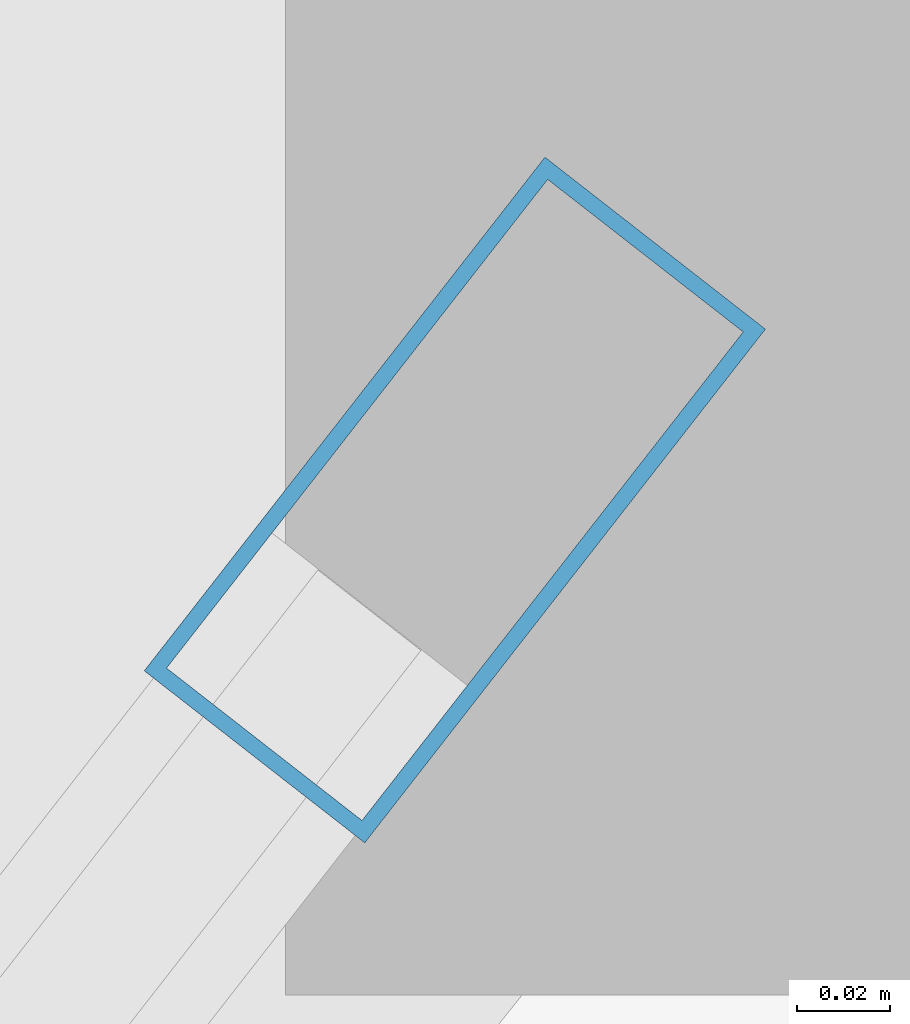
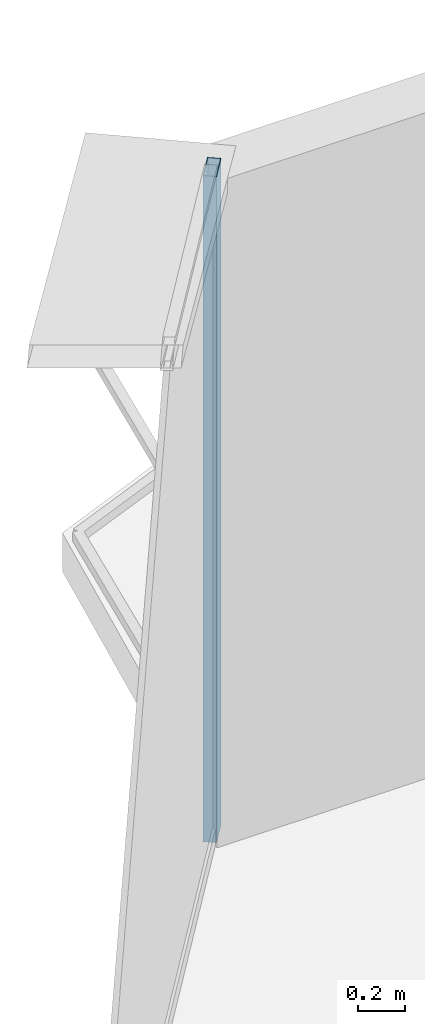
# One storey, part 20 of 36: 1 member, 1 element without a shape of its own.
"""IFC4 building model written with IfcOpenShell, lengths in metres."""

import ifcopenshell
import ifcopenshell.guid

model = None  # the IFC model being written
_history = None  # IfcOwnerHistory: only IFC2X3 demands one
_inside = {}  # id of a spatial element -> (the spatial element, [elements in it])
_under = {}  # id of a project, library or spatial element -> (it, [spatial elements below it])
_declared = {}  # id of a project -> (the project, [libraries it declares])
_typed = {}  # id of a type object -> (the type object, [elements of that type])
_made_of = {}  # id of a material, layer set ... -> (it, [elements and type objects made of it])


def new_model(schema):
    """Start an empty IFC model of exactly this schema.

    Asked for "IFC4X3", IfcOpenShell would pick the latest addendum, in which some entities
    have other attributes; the version numbers below select the first issue.
    IFC2X3 requires an IfcOwnerHistory on every rooted entity: one is made here for all.
    """
    global model, _history
    if schema == "IFC4X3":
        model = ifcopenshell.file(schema_version=(4, 3, 0, 0))
    else:
        model = ifcopenshell.file(schema=schema)
    _inside.clear()
    _under.clear()
    _declared.clear()
    _typed.clear()
    _made_of.clear()
    _history = None
    if model.schema == "IFC2X3":
        org = make("IfcOrganization", Name="unknown")
        user = make(
            "IfcPersonAndOrganization",
            ThePerson=make("IfcPerson", FamilyName="unknown"),
            TheOrganization=org,
        )
        app = make(
            "IfcApplication",
            ApplicationDeveloper=org,
            Version="unknown",
            ApplicationFullName="unknown",
            ApplicationIdentifier="unknown",
        )
        _history = make(
            "IfcOwnerHistory",
            OwningUser=user,
            OwningApplication=app,
            ChangeAction="ADDED",
            CreationDate=0,
        )
    return model


def make(cls, **values):
    """One entity of the class cls with the attributes given. An attribute that is None is left unset."""
    return model.create_entity(
        cls, **{name: value for name, value in values.items() if value is not None}
    )


def rooted(cls, **values):
    """An entity with a GlobalId (a new one), such as an element, a storey or a relation."""
    return make(cls, GlobalId=ifcopenshell.guid.new(), OwnerHistory=_history, **values)


def si_unit(unit_type, name, prefix=None):
    """IfcSIUnit, for example si_unit("LENGTHUNIT", "METRE", prefix="MILLI")."""
    return make("IfcSIUnit", UnitType=unit_type, Prefix=prefix, Name=name)


def assignment(units):
    """IfcUnitAssignment: the units of a project."""
    return None if units is None else make("IfcUnitAssignment", Units=units)


def point(xyz):
    """IfcCartesianPoint."""
    return None if xyz is None else make("IfcCartesianPoint", Coordinates=xyz)


def direction(xyz):
    """IfcDirection."""
    return None if xyz is None else make("IfcDirection", DirectionRatios=xyz)


def frame(location, z_axis=None, x_axis=None):
    """IfcAxis2Placement3D, a coordinate frame: its origin and axes. An axis left out is left unset."""
    return make(
        "IfcAxis2Placement3D",
        Location=point(location),
        Axis=direction(z_axis),
        RefDirection=direction(x_axis),
    )


def frame_2d(location, x_axis=None):
    """IfcAxis2Placement2D, a coordinate frame in the plane: its origin and x axis."""
    return make(
        "IfcAxis2Placement2D", Location=point(location), RefDirection=direction(x_axis)
    )


def origin():
    """The frame at (0, 0, 0) with its axes left unset."""
    return frame((0.0, 0.0, 0.0))


def origin_2d():
    """The frame at (0, 0) in the plane with its x axis left unset."""
    return frame_2d((0.0, 0.0))


def place(relative_to, where):
    """IfcLocalPlacement: puts the frame where relative to a parent placement (None: the world)."""
    return make(
        "IfcLocalPlacement", PlacementRelTo=relative_to, RelativePlacement=where
    )


def context(
    kind, dimensions, precision=None, world=None, true_north=None, identifier=None
):
    """IfcGeometricRepresentationContext, for example the 3D "Model" context."""
    return make(
        "IfcGeometricRepresentationContext",
        ContextIdentifier=identifier,
        ContextType=kind,
        CoordinateSpaceDimension=dimensions,
        Precision=precision,
        WorldCoordinateSystem=world,
        TrueNorth=true_north,
    )


def subcontext(parent, identifier, kind, view, scale=None):
    """IfcGeometricRepresentationSubContext, for example "Body" below "Model"."""
    return make(
        "IfcGeometricRepresentationSubContext",
        ContextIdentifier=identifier,
        ContextType=kind,
        ParentContext=parent,
        TargetScale=scale,
        TargetView=view,
    )


def project(units=None, contexts=None):
    """IfcProject with its units and contexts."""
    return rooted(
        "IfcProject",
        Name="project",
        RepresentationContexts=contexts,
        UnitsInContext=assignment(units),
    )


def spatial(cls, under=None, at=None, **own):
    """A site, building, storey or space (cls), placed at a placement, below another one or the project."""
    s = rooted(cls, ObjectPlacement=at, **own)
    if under is not None:
        _under.setdefault(under.id(), (under, []))[1].append(s)
    return s


def profile(cls, at=None, kind="AREA", **sizes):
    """A parametric profile (cls). Its sizes go by their IFC names, for example OverallWidth=200.0."""
    return make(cls, ProfileType=kind, Position=at, **sizes)


def hollow_rectangle(**sizes):
    """IfcRectangleHollowProfileDef."""
    return profile("IfcRectangleHollowProfileDef", **sizes)


def extrude(swept, where, along, depth):
    """IfcExtrudedAreaSolid: the profile swept, set in the frame where, extruded along a direction by depth."""
    return make(
        "IfcExtrudedAreaSolid",
        SweptArea=swept,
        Position=where,
        ExtrudedDirection=direction(along),
        Depth=depth,
    )


def shape(context_of_items, identifier, shape_type, items):
    """IfcShapeRepresentation: the items that make up one representation, for example the "Body"."""
    return make(
        "IfcShapeRepresentation",
        ContextOfItems=context_of_items,
        RepresentationIdentifier=identifier,
        RepresentationType=shape_type,
        Items=items,
    )


def source(mapping_origin, context_of_items, identifier, shape_type, items):
    """IfcRepresentationMap: a shape defined once, which mapped items show again and again."""
    return make(
        "IfcRepresentationMap",
        MappingOrigin=mapping_origin,
        MappedRepresentation=shape(context_of_items, identifier, shape_type, items),
    )


def transform(
    local_origin,
    x_axis=None,
    y_axis=None,
    z_axis=None,
    scale=None,
    scale2=None,
    scale3=None,
    uniform=True,
):
    """IfcCartesianTransformationOperator3D, or its non-uniform kind. x_axis, y_axis, z_axis: its Axis1, 2, 3."""
    if uniform:
        return make(
            "IfcCartesianTransformationOperator3D",
            Axis1=direction(x_axis),
            Axis2=direction(y_axis),
            LocalOrigin=point(local_origin),
            Scale=scale,
            Axis3=direction(z_axis),
        )
    return make(
        "IfcCartesianTransformationOperator3DnonUniform",
        Axis1=direction(x_axis),
        Axis2=direction(y_axis),
        LocalOrigin=point(local_origin),
        Scale=scale,
        Axis3=direction(z_axis),
        Scale2=scale2,
        Scale3=scale3,
    )


def mapped(mapping_source, mapping_target):
    """IfcMappedItem: shows the shape of a source again, moved by a transform."""
    return make(
        "IfcMappedItem", MappingSource=mapping_source, MappingTarget=mapping_target
    )


def material(Name=None, Category=None):
    """IfcMaterial."""
    return make("IfcMaterial", Name=Name, Category=Category)


def layer(
    of_material, thickness, ventilated=None, Name=None, Category=None, Priority=None
):
    """IfcMaterialLayer: one layer of a wall or slab, of a material (None: an air gap)."""
    return make(
        "IfcMaterialLayer",
        Material=of_material,
        LayerThickness=thickness,
        IsVentilated=ventilated,
        Name=Name,
        Category=Category,
        Priority=Priority,
    )


def layer_set(layers, Name=None):
    """IfcMaterialLayerSet."""
    return make("IfcMaterialLayerSet", MaterialLayers=layers, LayerSetName=Name)


def material_profile(
    of_material, cross_section, Name=None, Category=None, Priority=None
):
    """IfcMaterialProfile: a cross section and its material."""
    return make(
        "IfcMaterialProfile",
        Name=Name,
        Material=of_material,
        Profile=cross_section,
        Priority=Priority,
        Category=Category,
    )


def profile_set(profiles, Name=None, composite=None):
    """IfcMaterialProfileSet."""
    return make(
        "IfcMaterialProfileSet",
        Name=Name,
        MaterialProfiles=profiles,
        CompositeProfile=composite,
    )


def made_of(thing, what):
    """Note that an element or type object is made of a material, layer set ...; save() writes the relation."""
    if what is not None:
        _made_of.setdefault(what.id(), (what, []))[1].append(thing)
    return thing


def type_object(cls, material=None, **own):
    """A type object (cls), such as IfcWallType, which elements share."""
    return made_of(rooted(cls, **own), material)


def element(
    cls,
    number,
    at=None,
    inside=None,
    cuts=None,
    type_object=None,
    material=None,
    context=None,
    identifier="Body",
    shape_type=None,
    held_by="IfcProductDefinitionShape",
    body=None,
    shapes=None,
    **own,
):
    """One element of the class cls, such as IfcWall. Its Tag is "e" and its number.

    at: its placement. inside: the storey or other place that contains it. cuts: it is an
    opening in that element (IfcRelVoidsElement). A single representation is given by context,
    identifier, shape_type and body (its items); several are given by shapes. held_by: the class
    of the entity that holds the representations. save() writes the other relations.
    """
    e = rooted(cls, Tag="e%d" % number, ObjectPlacement=at, **own)
    if body is not None:
        shapes = [shape(context, identifier, shape_type, body)]
    if shapes is not None:
        e.Representation = make(held_by, Representations=shapes)
    if inside is not None:
        _inside.setdefault(inside.id(), (inside, []))[1].append(e)
    if cuts is not None:
        rooted(
            "IfcRelVoidsElement", RelatingBuildingElement=cuts, RelatedOpeningElement=e
        )
    if type_object is not None:
        _typed.setdefault(type_object.id(), (type_object, []))[1].append(e)
    return made_of(e, material)


def aggregate(whole, parts):
    """IfcRelAggregates: a whole, such as a stair, and the parts it consists of."""
    return rooted("IfcRelAggregates", RelatingObject=whole, RelatedObjects=parts)


def save(model, path):
    """Write the relations noted so far, then the file.

    IfcRelAggregates (storeys below a building ...), IfcRelContainedInSpatialStructure (elements
    in a storey), IfcRelDefinesByType, IfcRelAssociatesMaterial and IfcRelDeclares: one each for
    every whole, place, type object, material and project.
    """
    for whole, parts in _under.values():
        aggregate(whole, parts)
    for where, things in _inside.values():
        rooted(
            "IfcRelContainedInSpatialStructure",
            RelatedElements=things,
            RelatingStructure=where,
        )
    for kind, things in _typed.values():
        rooted("IfcRelDefinesByType", RelatedObjects=things, RelatingType=kind)
    for what, things in _made_of.values():
        rooted("IfcRelAssociatesMaterial", RelatedObjects=things, RelatingMaterial=what)
    for by, libraries in _declared.values():
        rooted("IfcRelDeclares", RelatingContext=by, RelatedDefinitions=libraries)
    model.write(path)


model = new_model("IFC4")

# Units and contexts
model_context = context("Model", 3, precision=1e-05, world=origin(), true_north=direction((0.0, 1.0)))
body_context = subcontext(model_context, "Body", "Model", "MODEL_VIEW")
ifc_project = project(units=[si_unit("LENGTHUNIT", "METRE"), si_unit("AREAUNIT", "SQUARE_METRE"), si_unit("VOLUMEUNIT", "CUBIC_METRE"), si_unit("PLANEANGLEUNIT", "RADIAN"), si_unit("MASSUNIT", "GRAM", prefix="KILO"), si_unit("THERMODYNAMICTEMPERATUREUNIT", "KELVIN"), si_unit("POWERUNIT", "WATT")], contexts=[model_context])

# Site, building, storey
site_placement = place(None, origin())
site = spatial("IfcSite", under=ifc_project, at=site_placement, CompositionType="ELEMENT")
building_placement = place(site_placement, origin())
building = spatial("IfcBuilding", under=site, at=building_placement, Name="Yunzhuo Pagoda Commons", CompositionType="ELEMENT")
storey_placement = place(building_placement, frame((0.0, 0.0, 263.179931640625)))
storey = spatial("IfcBuildingStorey", under=building, at=storey_placement, Name="L66", CompositionType="ELEMENT", Elevation=263.179931640625)

# Curtain wall, member
ifc_material = material(Name="Anodized aluminium 6063-T6", Category="aluminium")
ifc_layer = layer(ifc_material, 0.139892578125)
ifc_layer_set = layer_set([ifc_layer], Name="Anodized aluminium 6063-T6")
curtain_wall_type = type_object("IfcCurtainWallType", Name="CW-HI High-Zone Ribbon Curtain Wall", PredefinedType="NOTDEFINED", material=ifc_layer_set)
curtain_wall_placement = place(storey_placement, origin())
curtain_wall = element("IfcCurtainWall", 1, at=curtain_wall_placement, inside=storey, type_object=curtain_wall_type, Name="L66 curtain wall CW-L66-F3B1", PredefinedType="NOTDEFINED")
ifc_material_profile = material_profile(ifc_material, hollow_rectangle(XDim=0.06005859375, YDim=0.139892578125, WallThickness=0.00341796875, at=origin_2d()), Name="Anodized aluminium 6063-T6")
ifc_profile_set = profile_set([ifc_material_profile], Name="Anodized aluminium 6063-T6")
member_type = type_object("IfcMemberType", Name="CW-HI-M Mullion RHS 140x60x3.5", PredefinedType="MULLION", material=ifc_profile_set)
shared_shape = source(origin(), body_context, "Body", "SweptSolid", [
    extrude(hollow_rectangle(XDim=0.06005859375, YDim=0.139892578125, WallThickness=0.00341796875, at=origin_2d()), origin(), (0.0, 0.0, 1.0), 3.469970703125),
])
member_placement = place(storey_placement, frame((44.30712890625, 77.771240234375, 0.0), z_axis=(0.0, 0.0, 1.0), x_axis=(0.788480008462, -0.615060384235, 0.0)))
member = element("IfcMember", 2, at=member_placement, type_object=member_type, Name="CW mullion 1", PredefinedType="MULLION", context=body_context, shape_type="MappedRepresentation", body=[
    mapped(shared_shape, transform((0.0, 0.0, 0.0), scale=1.0)),
])
aggregate(curtain_wall, [member])

save(model, "model.ifc")
